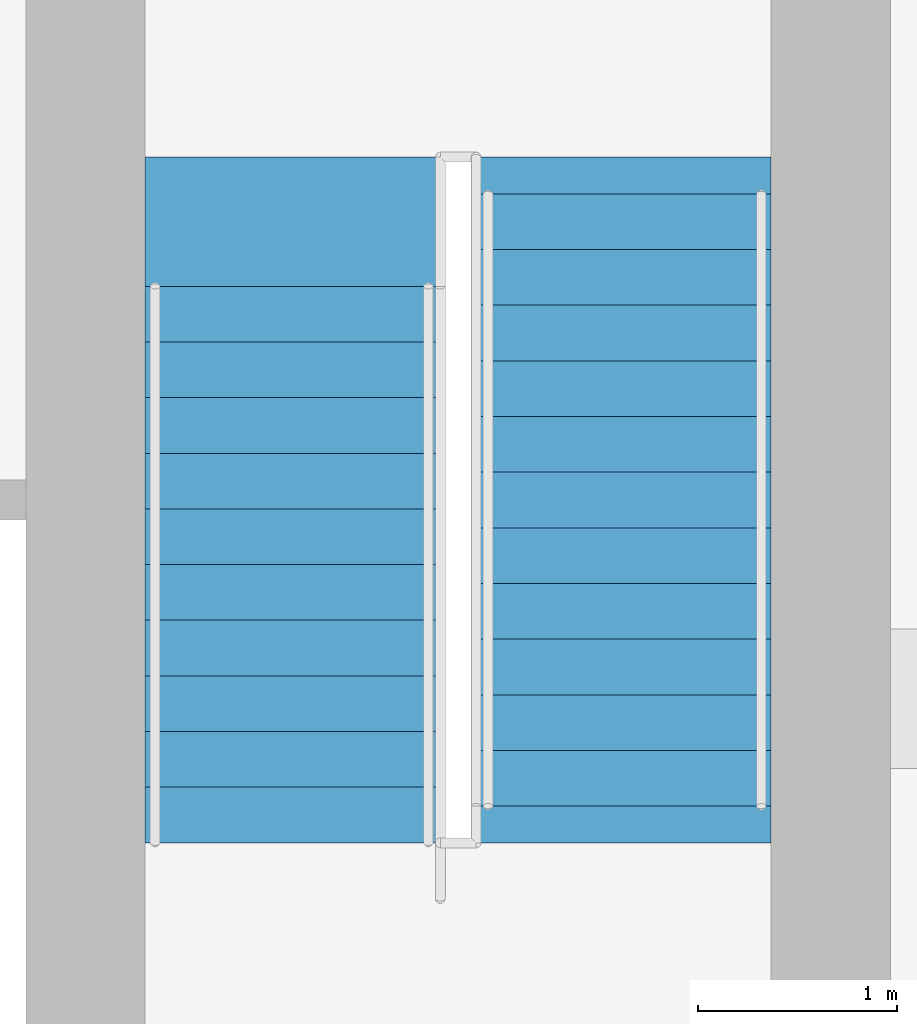
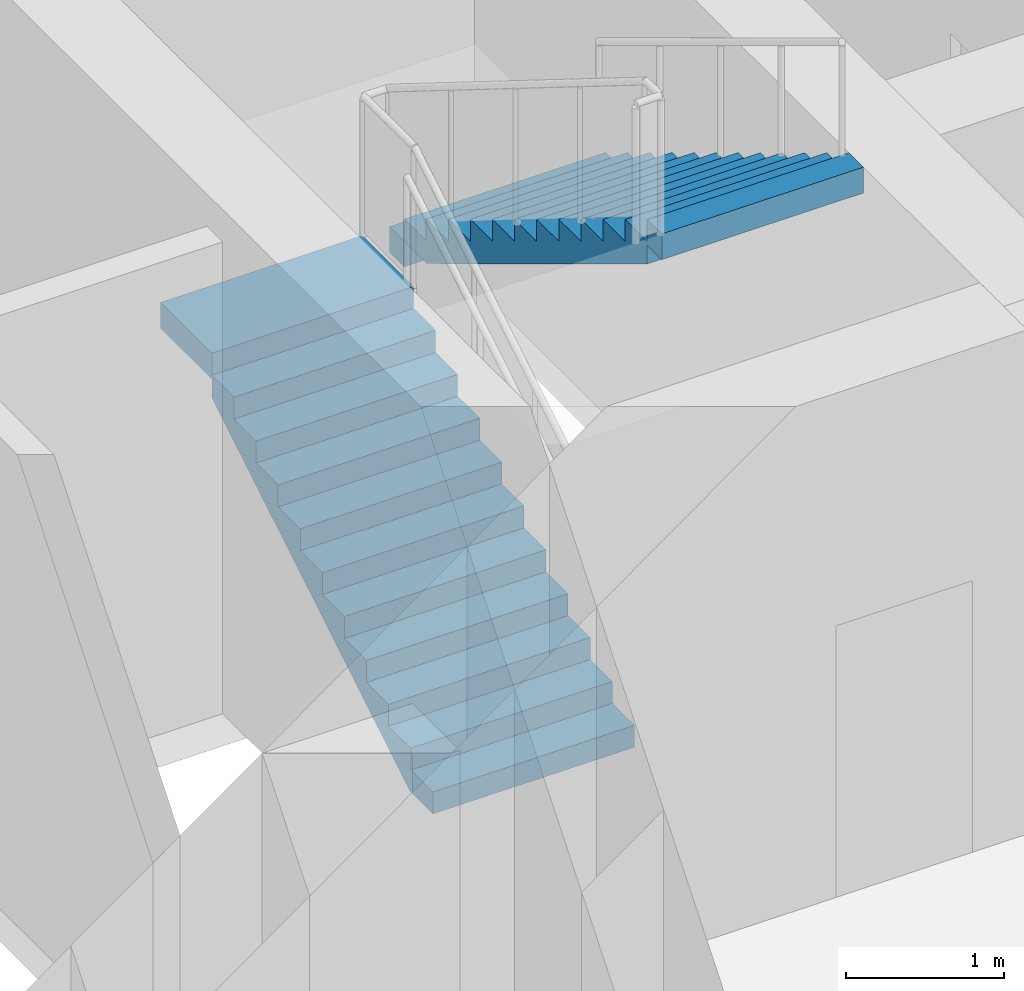
# One storey, part 6 of 7: 2 stair flights, 1 element without a shape of its own.
"""IFC4 building model written with IfcOpenShell, lengths in metres."""

import ifcopenshell
import ifcopenshell.guid

model = None  # the IFC model being written
_history = None  # IfcOwnerHistory: only IFC2X3 demands one
_inside = {}  # id of a spatial element -> (the spatial element, [elements in it])
_under = {}  # id of a project, library or spatial element -> (it, [spatial elements below it])
_declared = {}  # id of a project -> (the project, [libraries it declares])
_typed = {}  # id of a type object -> (the type object, [elements of that type])
_made_of = {}  # id of a material, layer set ... -> (it, [elements and type objects made of it])


def new_model(schema):
    """Start an empty IFC model of exactly this schema.

    Asked for "IFC4X3", IfcOpenShell would pick the latest addendum, in which some entities
    have other attributes; the version numbers below select the first issue.
    IFC2X3 requires an IfcOwnerHistory on every rooted entity: one is made here for all.
    """
    global model, _history
    if schema == "IFC4X3":
        model = ifcopenshell.file(schema_version=(4, 3, 0, 0))
    else:
        model = ifcopenshell.file(schema=schema)
    _inside.clear()
    _under.clear()
    _declared.clear()
    _typed.clear()
    _made_of.clear()
    _history = None
    if model.schema == "IFC2X3":
        org = make("IfcOrganization", Name="unknown")
        user = make(
            "IfcPersonAndOrganization",
            ThePerson=make("IfcPerson", FamilyName="unknown"),
            TheOrganization=org,
        )
        app = make(
            "IfcApplication",
            ApplicationDeveloper=org,
            Version="unknown",
            ApplicationFullName="unknown",
            ApplicationIdentifier="unknown",
        )
        _history = make(
            "IfcOwnerHistory",
            OwningUser=user,
            OwningApplication=app,
            ChangeAction="ADDED",
            CreationDate=0,
        )
    return model


def make(cls, **values):
    """One entity of the class cls with the attributes given. An attribute that is None is left unset."""
    return model.create_entity(
        cls, **{name: value for name, value in values.items() if value is not None}
    )


def rooted(cls, **values):
    """An entity with a GlobalId (a new one), such as an element, a storey or a relation."""
    return make(cls, GlobalId=ifcopenshell.guid.new(), OwnerHistory=_history, **values)


def si_unit(unit_type, name, prefix=None):
    """IfcSIUnit, for example si_unit("LENGTHUNIT", "METRE", prefix="MILLI")."""
    return make("IfcSIUnit", UnitType=unit_type, Prefix=prefix, Name=name)


def assignment(units):
    """IfcUnitAssignment: the units of a project."""
    return None if units is None else make("IfcUnitAssignment", Units=units)


def point(xyz):
    """IfcCartesianPoint."""
    return None if xyz is None else make("IfcCartesianPoint", Coordinates=xyz)


def direction(xyz):
    """IfcDirection."""
    return None if xyz is None else make("IfcDirection", DirectionRatios=xyz)


def frame(location, z_axis=None, x_axis=None):
    """IfcAxis2Placement3D, a coordinate frame: its origin and axes. An axis left out is left unset."""
    return make(
        "IfcAxis2Placement3D",
        Location=point(location),
        Axis=direction(z_axis),
        RefDirection=direction(x_axis),
    )


def origin():
    """The frame at (0, 0, 0) with its axes left unset."""
    return frame((0.0, 0.0, 0.0))


def place(relative_to, where):
    """IfcLocalPlacement: puts the frame where relative to a parent placement (None: the world)."""
    return make(
        "IfcLocalPlacement", PlacementRelTo=relative_to, RelativePlacement=where
    )


def context(
    kind, dimensions, precision=None, world=None, true_north=None, identifier=None
):
    """IfcGeometricRepresentationContext, for example the 3D "Model" context."""
    return make(
        "IfcGeometricRepresentationContext",
        ContextIdentifier=identifier,
        ContextType=kind,
        CoordinateSpaceDimension=dimensions,
        Precision=precision,
        WorldCoordinateSystem=world,
        TrueNorth=true_north,
    )


def subcontext(parent, identifier, kind, view, scale=None):
    """IfcGeometricRepresentationSubContext, for example "Body" below "Model"."""
    return make(
        "IfcGeometricRepresentationSubContext",
        ContextIdentifier=identifier,
        ContextType=kind,
        ParentContext=parent,
        TargetScale=scale,
        TargetView=view,
    )


def project(units=None, contexts=None):
    """IfcProject with its units and contexts."""
    return rooted(
        "IfcProject",
        Name="project",
        RepresentationContexts=contexts,
        UnitsInContext=assignment(units),
    )


def spatial(cls, under=None, at=None, **own):
    """A site, building, storey or space (cls), placed at a placement, below another one or the project."""
    s = rooted(cls, ObjectPlacement=at, **own)
    if under is not None:
        _under.setdefault(under.id(), (under, []))[1].append(s)
    return s


def polyline(points):
    """IfcPolyline through the points."""
    return make("IfcPolyline", Points=[point(p) for p in points])


def outline(outer, holes=None, kind="AREA"):
    """IfcArbitraryClosedProfileDef: a profile drawn as a closed curve; with holes, ...WithVoids."""
    if holes is None:
        return make("IfcArbitraryClosedProfileDef", ProfileType=kind, OuterCurve=outer)
    return make(
        "IfcArbitraryProfileDefWithVoids",
        ProfileType=kind,
        OuterCurve=outer,
        InnerCurves=holes,
    )


def extrude(swept, where, along, depth):
    """IfcExtrudedAreaSolid: the profile swept, set in the frame where, extruded along a direction by depth."""
    return make(
        "IfcExtrudedAreaSolid",
        SweptArea=swept,
        Position=where,
        ExtrudedDirection=direction(along),
        Depth=depth,
    )


def shape(context_of_items, identifier, shape_type, items):
    """IfcShapeRepresentation: the items that make up one representation, for example the "Body"."""
    return make(
        "IfcShapeRepresentation",
        ContextOfItems=context_of_items,
        RepresentationIdentifier=identifier,
        RepresentationType=shape_type,
        Items=items,
    )


def material(Name=None, Category=None):
    """IfcMaterial."""
    return make("IfcMaterial", Name=Name, Category=Category)


def made_of(thing, what):
    """Note that an element or type object is made of a material, layer set ...; save() writes the relation."""
    if what is not None:
        _made_of.setdefault(what.id(), (what, []))[1].append(thing)
    return thing


def type_object(cls, material=None, **own):
    """A type object (cls), such as IfcWallType, which elements share."""
    return made_of(rooted(cls, **own), material)


def element(
    cls,
    number,
    at=None,
    inside=None,
    cuts=None,
    type_object=None,
    material=None,
    context=None,
    identifier="Body",
    shape_type=None,
    held_by="IfcProductDefinitionShape",
    body=None,
    shapes=None,
    **own,
):
    """One element of the class cls, such as IfcWall. Its Tag is "e" and its number.

    at: its placement. inside: the storey or other place that contains it. cuts: it is an
    opening in that element (IfcRelVoidsElement). A single representation is given by context,
    identifier, shape_type and body (its items); several are given by shapes. held_by: the class
    of the entity that holds the representations. save() writes the other relations.
    """
    e = rooted(cls, Tag="e%d" % number, ObjectPlacement=at, **own)
    if body is not None:
        shapes = [shape(context, identifier, shape_type, body)]
    if shapes is not None:
        e.Representation = make(held_by, Representations=shapes)
    if inside is not None:
        _inside.setdefault(inside.id(), (inside, []))[1].append(e)
    if cuts is not None:
        rooted(
            "IfcRelVoidsElement", RelatingBuildingElement=cuts, RelatedOpeningElement=e
        )
    if type_object is not None:
        _typed.setdefault(type_object.id(), (type_object, []))[1].append(e)
    return made_of(e, material)


def aggregate(whole, parts):
    """IfcRelAggregates: a whole, such as a stair, and the parts it consists of."""
    return rooted("IfcRelAggregates", RelatingObject=whole, RelatedObjects=parts)


def save(model, path):
    """Write the relations noted so far, then the file.

    IfcRelAggregates (storeys below a building ...), IfcRelContainedInSpatialStructure (elements
    in a storey), IfcRelDefinesByType, IfcRelAssociatesMaterial and IfcRelDeclares: one each for
    every whole, place, type object, material and project.
    """
    for whole, parts in _under.values():
        aggregate(whole, parts)
    for where, things in _inside.values():
        rooted(
            "IfcRelContainedInSpatialStructure",
            RelatedElements=things,
            RelatingStructure=where,
        )
    for kind, things in _typed.values():
        rooted("IfcRelDefinesByType", RelatedObjects=things, RelatingType=kind)
    for what, things in _made_of.values():
        rooted("IfcRelAssociatesMaterial", RelatedObjects=things, RelatingMaterial=what)
    for by, libraries in _declared.values():
        rooted("IfcRelDeclares", RelatingContext=by, RelatedDefinitions=libraries)
    model.write(path)


model = new_model("IFC4")

# Units and contexts
model_context = context("Model", 3, precision=1e-05, world=origin(), true_north=direction((0.0, 1.0)))
body_context = subcontext(model_context, "Body", "Model", "MODEL_VIEW")
ifc_project = project(units=[si_unit("LENGTHUNIT", "METRE"), si_unit("AREAUNIT", "SQUARE_METRE"), si_unit("VOLUMEUNIT", "CUBIC_METRE"), si_unit("PLANEANGLEUNIT", "RADIAN"), si_unit("MASSUNIT", "GRAM", prefix="KILO")], contexts=[model_context])

# Site, building, storey
site_placement = place(None, origin())
site = spatial("IfcSite", under=ifc_project, at=site_placement, CompositionType="ELEMENT")
building_placement = place(site_placement, origin())
building = spatial("IfcBuilding", under=site, at=building_placement, Name="Kilele Tower Hotel", CompositionType="ELEMENT")
storey_placement = place(building_placement, frame((0.0, 0.0, 254.60009765625)))
storey = spatial("IfcBuildingStorey", under=building, at=storey_placement, Name="L65", CompositionType="ELEMENT", Elevation=254.60009765625)

# Stair, stair flights
ifc_material_1 = material(Name="Precast concrete C40/50", Category="concrete")
stair_type = type_object("IfcStairType", Name="Stair 1475 x 3900", PredefinedType="HALF_TURN_STAIR", material=ifc_material_1)
stair_placement = place(storey_placement, origin())
stair = element("IfcStair", 1, at=stair_placement, inside=storey, type_object=stair_type, Name="Stair 2 L65", PredefinedType="HALF_TURN_STAIR")
ifc_material_2 = material(Name="Precast concrete C40/50", Category="concrete")
stair_flight_type = type_object("IfcStairFlightType", Name="Flight 1475 riser 169.6", PredefinedType="STRAIGHT", material=ifc_material_2)
stair_flight_1_placement = place(storey_placement, frame((33.28759765625, 21.77490234375, 0.0), z_axis=(0.0, 0.0, 1.0), x_axis=(0.0, 1.0, 0.0)))
stair_flight_1 = element("IfcStairFlight", 2, at=stair_flight_1_placement, type_object=stair_flight_type, Name="ST2 flight 1", NumberOfRisers=11, NumberOfTreads=10, PredefinedType="STRAIGHT", RiserHeight=0.169565217, TreadLength=0.28, context=body_context, shape_type="SweptSolid", body=[
    extrude(outline(polyline([(0.0, 0.0), (0.0, 0.169677734375), (0.280029296875, 0.169677734375), (0.280029296875, 0.339111328125), (0.56005859375, 0.339111328125), (0.56005859375, 0.5087890625), (0.840087890625, 0.5087890625), (0.840087890625, 0.67822265625), (1.1201171875, 0.67822265625), (1.1201171875, 0.847900390625), (1.39990234375, 0.847900390625), (1.39990234375, 1.017333984375), (1.679931640625, 1.017333984375), (1.679931640625, 1.18701171875), (1.9599609375, 1.18701171875), (1.9599609375, 1.3564453125), (2.239990234375, 1.3564453125), (2.239990234375, 1.526123046875), (2.52001953125, 1.526123046875), (2.52001953125, 1.695556640625), (2.800048828125, 1.695556640625), (2.800048828125, 1.865234375), (2.800048828125, 1.5205078125), (0.289306640625, 0.0), (0.0, 0.0)])), frame((0.0, 0.737548828125, 0.0), z_axis=(0.0, -1.0, 0.0), x_axis=(1.0, 0.0, 0.0)), (0.0, 0.0, 1.0), 1.47509765625),
    extrude(outline(polyline([(2.800048828125, 0.737548828125), (2.800048828125, -0.7373046875), (3.4501953125, -0.7373046875), (3.4501953125, 0.737548828125), (2.800048828125, 0.737548828125)])), frame((0.0, 0.0, 1.6650390625)), (0.0, 0.0, 1.0), 0.199951171875),
])
stair_flight_2_placement = place(storey_placement, frame((34.96240234375, 25.0400390625, 1.865234375), z_axis=(0.0, 0.0, 1.0), x_axis=(0.0, -1.0, 0.0)))
stair_flight_2 = element("IfcStairFlight", 3, at=stair_flight_2_placement, type_object=stair_flight_type, Name="ST2 flight 2", NumberOfRisers=12, NumberOfTreads=11, PredefinedType="STRAIGHT", RiserHeight=0.169565217, TreadLength=0.28, context=body_context, shape_type="SweptSolid", body=[
    extrude(outline(polyline([(0.0, 0.0), (0.0, 0.169677734375), (0.280029296875, 0.169677734375), (0.280029296875, 0.339111328125), (0.56005859375, 0.339111328125), (0.56005859375, 0.5087890625), (0.840087890625, 0.5087890625), (0.840087890625, 0.67822265625), (1.1201171875, 0.67822265625), (1.1201171875, 0.847900390625), (1.39990234375, 0.847900390625), (1.39990234375, 1.017333984375), (1.679931640625, 1.017333984375), (1.679931640625, 1.18701171875), (1.9599609375, 1.18701171875), (1.9599609375, 1.3564453125), (2.239990234375, 1.3564453125), (2.239990234375, 1.526123046875), (2.52001953125, 1.526123046875), (2.52001953125, 1.695556640625), (2.800048828125, 1.695556640625), (2.800048828125, 1.865234375), (3.080078125, 1.865234375), (3.080078125, 2.03466796875), (3.080078125, 1.68994140625), (0.289306640625, 0.0), (0.0, 0.0)])), frame((0.0, 0.737548828125, 0.0), z_axis=(0.0, -1.0, 0.0), x_axis=(1.0, 0.0, 0.0)), (0.0, 0.0, 1.0), 1.47509765625),
    extrude(outline(polyline([(0.0, -0.7373046875), (0.0, 0.737548828125), (-0.18505859375, 0.737548828125), (-0.18505859375, -0.7373046875), (0.0, -0.7373046875)])), frame((0.0, 0.0, -0.2001953125)), (0.0, 0.0, 1.0), 0.199951171875),
    extrude(outline(polyline([(3.26513671875, -0.7373046875), (3.26513671875, 0.737548828125), (3.080078125, 0.737548828125), (3.080078125, -0.7373046875), (3.26513671875, -0.7373046875)])), frame((0.0, 0.0, 1.834716796875)), (0.0, 0.0, 1.0), 0.199951171875),
])
aggregate(stair, [stair_flight_1, stair_flight_2])

save(model, "model.ifc")
